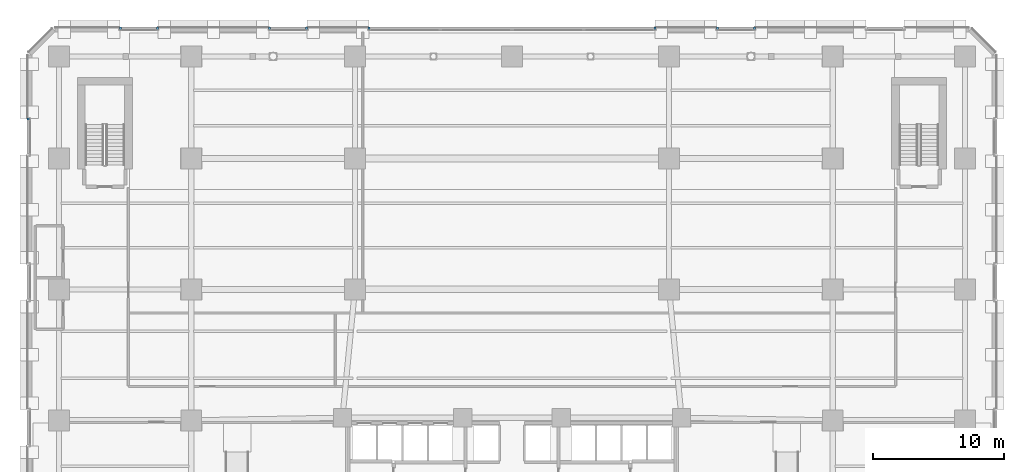
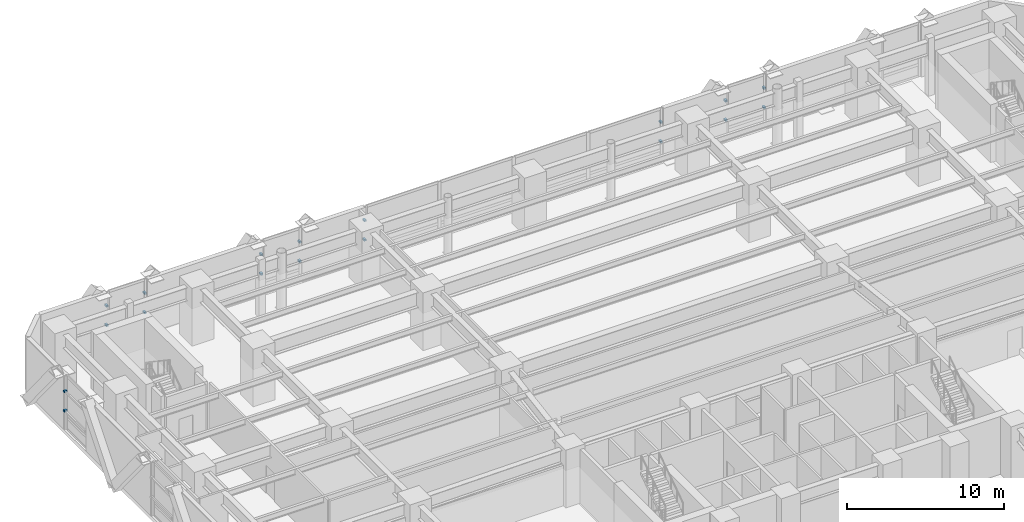
# One storey, part 18 of 26: 18 discrete accessories.
"""IFC4 building model written with IfcOpenShell, lengths in metres."""

from ifc_helpers import new_model, si_unit, direction, frame, origin, origin_2d, place, context, subcontext, project, spatial, rectangle, extrude, material, type_object, element, save


model = new_model("IFC4")

# Units and contexts
model_context = context("Model", 3, precision=1e-05, world=origin(), true_north=direction((0.0, 1.0)))
body_context = subcontext(model_context, "Body", "Model", "MODEL_VIEW")
ifc_project = project(units=[si_unit("LENGTHUNIT", "METRE"), si_unit("AREAUNIT", "SQUARE_METRE"), si_unit("VOLUMEUNIT", "CUBIC_METRE"), si_unit("PLANEANGLEUNIT", "RADIAN"), si_unit("MASSUNIT", "GRAM", prefix="KILO")], contexts=[model_context])

# Site, building, storey
site_placement = place(None, origin())
site = spatial("IfcSite", under=ifc_project, at=site_placement, CompositionType="ELEMENT")
building_placement = place(site_placement, origin())
building = spatial("IfcBuilding", under=site, at=building_placement, Name="Quenlor Broadcast Tower", CompositionType="ELEMENT")
storey_placement = place(building_placement, frame((0.0, 0.0, 5.0)))
storey = spatial("IfcBuildingStorey", under=building, at=storey_placement, Name="L01", CompositionType="ELEMENT", Elevation=5.0)

# Discrete accessories
ifc_material = material(Name="Aluminium 6063-T6", Category="aluminium")
discrete_accessory_type = type_object("IfcDiscreteAccessoryType", Name="Stainless Mullion Baguette Support Bracket", PredefinedType="BRACKET", material=ifc_material)
for number, where, z_axis, x_axis, name in (
    (1, (-29.909423828125, 24.93994140625, 1.44189453125), (0.0, 0.0, 1.0), (1.0, 0.0, 0.0), "L01 Baguette Mullion Bracket 1.1"),
    (2, (-27.090576171875, 24.93994140625, 1.44189453125), (0.0, 0.0, 1.0), (1.0, 0.0, 0.0), "L01 Baguette Mullion Bracket 1.2"),
    (3, (-29.909423828125, 24.93994140625, 2.9541015625), (0.0, 0.0, 1.0), (1.0, 0.0, 0.0), "L01 Baguette Mullion Bracket 2.1"),
    (4, (-27.090576171875, 24.93994140625, 2.9541015625), (0.0, 0.0, 1.0), (1.0, 0.0, 0.0), "L01 Baguette Mullion Bracket 2.2"),
    (5, (-18.509521484375, 24.93994140625, 1.44189453125), (0.0, 0.0, 1.0), (1.0, 0.0, 0.0), "L01 Baguette Mullion Bracket 1.1"),
    (6, (-15.6904296875, 24.93994140625, 1.44189453125), (0.0, 0.0, 1.0), (1.0, 0.0, 0.0), "L01 Baguette Mullion Bracket 1.2"),
    (7, (-18.509521484375, 24.93994140625, 2.9541015625), (0.0, 0.0, 1.0), (1.0, 0.0, 0.0), "L01 Baguette Mullion Bracket 2.1"),
    (8, (-15.6904296875, 24.93994140625, 2.9541015625), (0.0, 0.0, 1.0), (1.0, 0.0, 0.0), "L01 Baguette Mullion Bracket 2.2"),
    (9, (-10.909423828125, 24.93994140625, 1.44189453125), (0.0, 0.0, 1.0), (1.0, 0.0, 0.0), "L01 Baguette Mullion Bracket 1.1"),
    (10, (10.909423828125, 24.93994140625, 1.44189453125), (0.0, 0.0, 1.0), (1.0, 0.0, 0.0), "L01 Baguette Mullion Bracket 1.2"),
    (11, (-10.909423828125, 24.93994140625, 2.9541015625), (0.0, 0.0, 1.0), (1.0, 0.0, 0.0), "L01 Baguette Mullion Bracket 2.1"),
    (12, (10.909423828125, 24.93994140625, 2.9541015625), (0.0, 0.0, 1.0), (1.0, 0.0, 0.0), "L01 Baguette Mullion Bracket 2.2"),
    (13, (15.6904296875, 24.93994140625, 1.44189453125), (0.0, 0.0, 1.0), (1.0, 0.0, 0.0), "L01 Baguette Mullion Bracket 1.1"),
    (14, (18.509521484375, 24.93994140625, 1.44189453125), (0.0, 0.0, 1.0), (1.0, 0.0, 0.0), "L01 Baguette Mullion Bracket 1.2"),
    (15, (15.6904296875, 24.93994140625, 2.9541015625), (0.0, 0.0, 1.0), (1.0, 0.0, 0.0), "L01 Baguette Mullion Bracket 2.1"),
    (16, (18.509521484375, 24.93994140625, 2.9541015625), (0.0, 0.0, 1.0), (1.0, 0.0, 0.0), "L01 Baguette Mullion Bracket 2.2"),
    (17, (-36.93994140625, 18.00634765625, 1.44189453125), (0.0, 0.0, 1.0), (0.0, 1.0, 0.0), "L01 Baguette Mullion Bracket 1.2"),
    (18, (-36.93994140625, 18.00634765625, 2.9541015625), (0.0, 0.0, 1.0), (0.0, 1.0, 0.0), "L01 Baguette Mullion Bracket 2.2"),
):
    element("IfcDiscreteAccessory", number, at=place(storey_placement, frame(where, z_axis=z_axis, x_axis=x_axis)), inside=storey, type_object=discrete_accessory_type, Name=name, PredefinedType="BRACKET", context=body_context, shape_type="SweptSolid", body=[
        extrude(rectangle(XDim=0.159912109375, YDim=0.239990234375, at=origin_2d()), origin(), (0.0, 0.0, 1.0), 0.139892578125),
    ])

save(model, "model.ifc")
